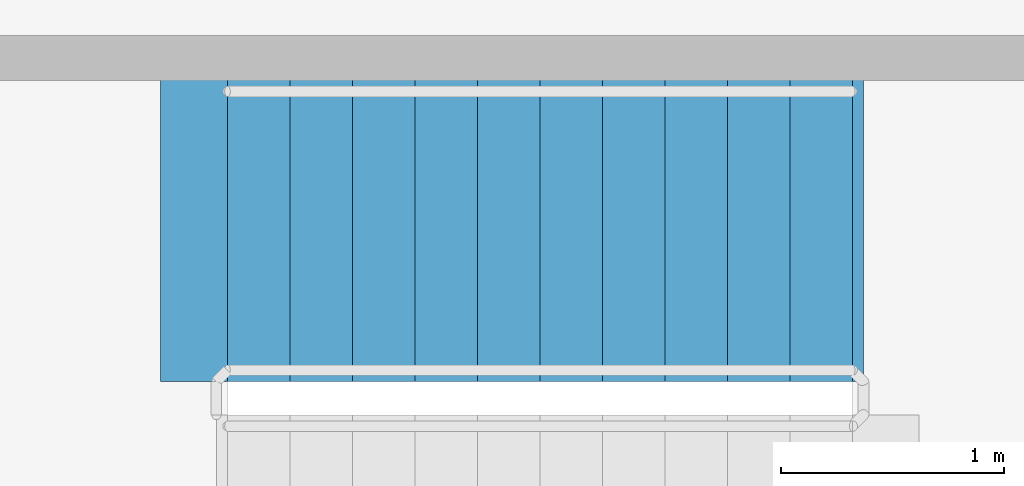
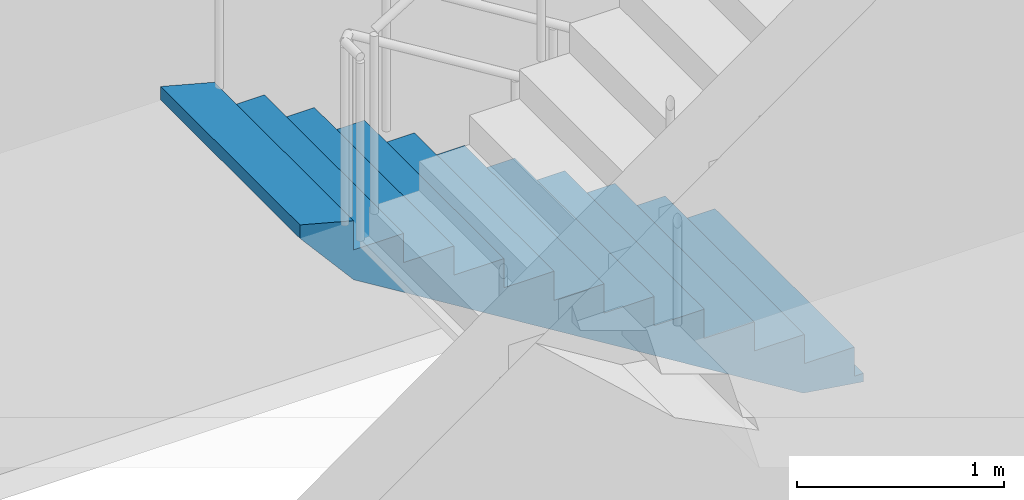
# One storey, part 16 of 20: 1 stair flight, 1 element without a shape of its own.
"""IFC4 building model written with IfcOpenShell, lengths in metres."""

from ifc_helpers import new_model, si_unit, direction, frame, origin, place, context, subcontext, project, spatial, polyline, outline, extrude, material, type_object, element, aggregate, save


model = new_model("IFC4")

# Units and contexts
model_context = context("Model", 3, precision=1e-05, world=origin(), true_north=direction((0.0, 1.0)))
body_context = subcontext(model_context, "Body", "Model", "MODEL_VIEW")
ifc_project = project(units=[si_unit("LENGTHUNIT", "METRE"), si_unit("AREAUNIT", "SQUARE_METRE"), si_unit("VOLUMEUNIT", "CUBIC_METRE"), si_unit("PLANEANGLEUNIT", "RADIAN"), si_unit("MASSUNIT", "GRAM", prefix="KILO")], contexts=[model_context])

# Site, building, storey
site_placement = place(None, origin())
site = spatial("IfcSite", under=ifc_project, at=site_placement, CompositionType="ELEMENT")
building_placement = place(site_placement, origin())
building = spatial("IfcBuilding", under=site, at=building_placement, Name="Zarbagh Exchange Tower", CompositionType="ELEMENT")
storey_placement = place(building_placement, frame((0.0, 0.0, 163.800048828125)))
storey = spatial("IfcBuildingStorey", under=building, at=storey_placement, Name="L39", CompositionType="ELEMENT", Elevation=163.800048828125)

# Stair, stair flight
ifc_material = material(Name="Concrete C40/50", Category="concrete")
stair_type = type_object("IfcStairType", Name="Exit stair two-flight half-turn", PredefinedType="HALF_TURN_STAIR", material=ifc_material)
stair_placement = place(storey_placement, origin())
stair = element("IfcStair", 1, at=stair_placement, inside=storey, type_object=stair_type, Name="exit stair ST1", PredefinedType="HALF_TURN_STAIR")
stair_flight_type = type_object("IfcStairFlightType", Name="Stair flight 1350 mm", PredefinedType="STRAIGHT", material=ifc_material)
stair_flight_placement = place(storey_placement, frame((2.449951171875, 17.375, 0.0), z_axis=(0.0, 0.0, 1.0), x_axis=(-1.0, 0.0, 0.0)))
stair_flight = element("IfcStairFlight", 2, at=stair_flight_placement, type_object=stair_flight_type, Name="ST1 flight 1", NumberOfRisers=11, NumberOfTreads=10, PredefinedType="STRAIGHT", RiserHeight=0.172727273, TreadLength=0.28, context=body_context, shape_type="SweptSolid", body=[
    extrude(outline(polyline([(-0.050048828125, -0.050048828125), (-0.050048828125, 0.0), (0.0, 0.0), (0.0, 0.172607421875), (0.280029296875, 0.172607421875), (0.280029296875, 0.345458984375), (0.56005859375, 0.345458984375), (0.56005859375, 0.51806640625), (0.840087890625, 0.51806640625), (0.840087890625, 0.69091796875), (1.1201171875, 0.69091796875), (1.1201171875, 0.863525390625), (1.39990234375, 0.863525390625), (1.39990234375, 1.036376953125), (1.679931640625, 1.036376953125), (1.679931640625, 1.208984375), (1.9599609375, 1.208984375), (1.9599609375, 1.3818359375), (2.239990234375, 1.3818359375), (2.239990234375, 1.554443359375), (2.52001953125, 1.554443359375), (2.52001953125, 1.727294921875), (2.800048828125, 1.727294921875), (2.800048828125, 1.89990234375), (3.10009765625, 1.97998046875), (3.10009765625, 1.89990234375), (2.800048828125, 1.551025390625), (0.285400390625, 0.0), (-0.050048828125, -0.050048828125)])), frame((0.0, 0.675048828125, 0.0), z_axis=(0.0, -1.0, 0.0), x_axis=(1.0, 0.0, 0.0)), (0.0, 0.0, 1.0), 1.35009765625),
])
aggregate(stair, [stair_flight])

save(model, "model.ifc")
